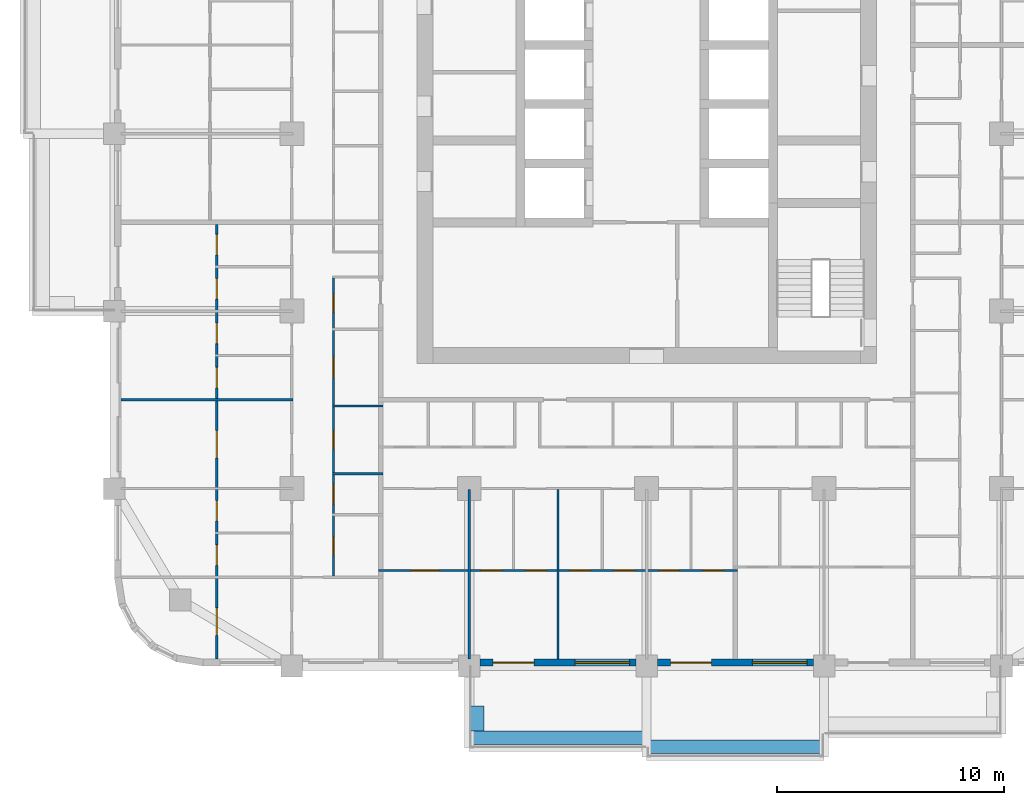
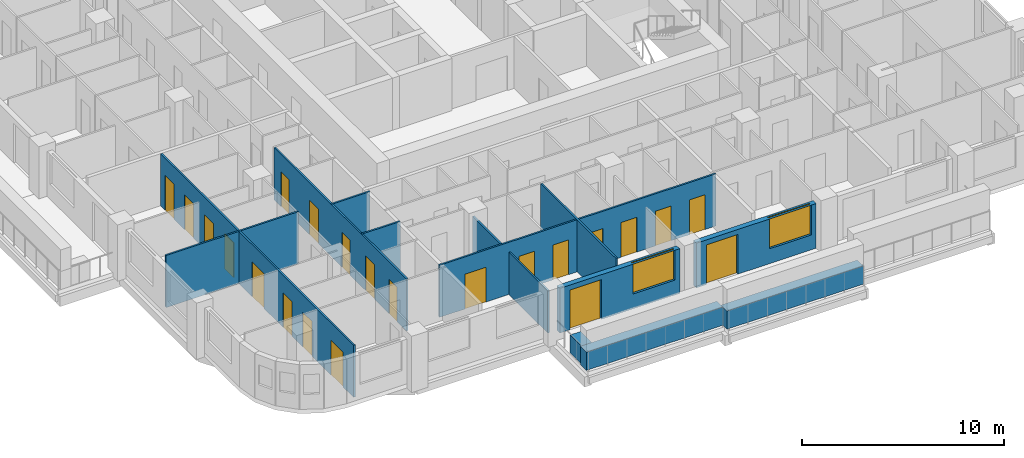
# One storey, part 3 of 17: 22 doors, 13 walls, 2 windows, 24 openings.
"""IFC4 building model written with IfcOpenShell, lengths in metres."""

from ifc_helpers import new_model, si_unit, direction, frame, frame_2d, origin, place, context, subcontext, project, spatial, rectangle, extrude, material, layer, layer_set, type_object, element, fill, save


model = new_model("IFC4")

# Units and contexts
model_context = context("Model", 3, precision=1e-05, world=origin(), true_north=direction((0.0, 1.0)))
body_context = subcontext(model_context, "Body", "Model", "MODEL_VIEW")
ifc_project = project(units=[si_unit("LENGTHUNIT", "METRE"), si_unit("AREAUNIT", "SQUARE_METRE"), si_unit("VOLUMEUNIT", "CUBIC_METRE"), si_unit("PLANEANGLEUNIT", "RADIAN"), si_unit("MASSUNIT", "GRAM", prefix="KILO")], contexts=[model_context])

# Site, building, storey
site_placement = place(None, origin())
site = spatial("IfcSite", under=ifc_project, at=site_placement, CompositionType="ELEMENT")
building_placement = place(site_placement, origin())
building = spatial("IfcBuilding", under=site, at=building_placement, Name="Ludao Terraces", CompositionType="ELEMENT")
storey_placement = place(building_placement, frame((0.0, 0.0, 88.60009765625)))
storey = spatial("IfcBuildingStorey", under=building, at=storey_placement, Name="L24", CompositionType="ELEMENT", Elevation=88.60009765625)

# Walls
ifc_material_1 = material(Name="Concrete C40", Category="concrete")
ifc_layer_1 = layer(ifc_material_1, 0.60009765625)
ifc_layer_set_1 = layer_set([ifc_layer_1], Name="ENV Planter trough 600")
wall_type_1 = type_object("IfcWallType", Name="ENV Planter trough 600", PredefinedType="USERDEFINED", material=ifc_layer_set_1)
wall_1_placement = place(storey_placement, frame((77.199951171875, 38.449951171875, 0.0), z_axis=(0.0, 0.0, 1.0), x_axis=(1.0, 0.0, 0.0)))
element("IfcWall", 1, at=wall_1_placement, inside=storey, type_object=wall_type_1, Name="PL-L24-S2", ObjectType="PLANTER", PredefinedType="USERDEFINED", context=body_context, shape_type="SweptSolid", body=[
    extrude(rectangle(XDim=7.800048828125, YDim=0.60009765625, at=frame_2d((3.89990234375, 0.0))), origin(), (0.0, 0.0, 1.0), 1.099853515625),
])
wall_2_placement = place(storey_placement, frame((77.550048828125, 38.75, 0.0), z_axis=(0.0, 0.0, 1.0), x_axis=(0.0, 1.0, 0.0)))
element("IfcWall", 2, at=wall_2_placement, inside=storey, type_object=wall_type_1, Name="PL-L24-S2-SA", ObjectType="PLANTER", PredefinedType="USERDEFINED", context=body_context, shape_type="SweptSolid", body=[
    extrude(rectangle(XDim=1.10009765625, YDim=0.60009765625, at=frame_2d((0.550048828125, 0.0))), origin(), (0.0, 0.0, 1.0), 1.099853515625),
])
wall_3_placement = place(storey_placement, frame((85.0, 38.050048828125, 0.0), z_axis=(0.0, 0.0, 1.0), x_axis=(1.0, 0.0, 0.0)))
element("IfcWall", 3, at=wall_3_placement, inside=storey, type_object=wall_type_1, Name="PL-L24-S3", ObjectType="PLANTER", PredefinedType="USERDEFINED", context=body_context, shape_type="SweptSolid", body=[
    extrude(rectangle(XDim=7.800048828125, YDim=0.60009765625, at=frame_2d((3.89990234375, 0.0))), origin(), (0.0, 0.0, 1.0), 1.099853515625),
])

# Wall, openings, door, window
ifc_material_2 = material(Name="Granite cladding", Category="masonry")
ifc_layer_2 = layer(ifc_material_2, 0.0400390625, Category="stone")
ifc_material_3 = material(Name="Mineral wool")
ifc_layer_3 = layer(ifc_material_3, 0.06005859375)
ifc_layer_4 = layer(ifc_material_1, 0.199951171875, Category="concrete")
ifc_layer_set_2 = layer_set([ifc_layer_2, ifc_layer_3, ifc_layer_4], Name="ENV Stone-clad wall 300")
wall_type_2 = type_object("IfcWallType", Name="ENV Stone-clad wall 300", PredefinedType="SOLIDWALL", material=ifc_layer_set_2)
wall_4_placement = place(storey_placement, frame((77.675048828125, 41.75, 0.0), z_axis=(0.0, 0.0, 1.0), x_axis=(1.0, 0.0, 0.0)))
wall_4 = element("IfcWall", 4, at=wall_4_placement, inside=storey, type_object=wall_type_2, Name="EW-L24-S3", PredefinedType="SOLIDWALL", context=body_context, shape_type="SweptSolid", body=[
    extrude(rectangle(XDim=6.849853515625, YDim=0.300048828125, at=frame_2d((3.4248046875, 0.0))), origin(), (0.0, 0.0, 1.0), 2.699951171875),
])
opening_1_placement = place(wall_4_placement, frame((0.574951171875, 0.0, 0.0)))
opening_1 = element("IfcOpeningElement", 5, at=opening_1_placement, cuts=wall_4, Name="Opening BD", PredefinedType="OPENING", context=body_context, shape_type="SweptSolid", body=[
    extrude(rectangle(XDim=1.800048828125, YDim=2.39990234375, at=frame_2d((0.89990234375, 1.199951171875))), frame((0.0, 0.16015625, 0.0), z_axis=(0.0, -1.0, 0.0), x_axis=(1.0, 0.0, 0.0)), (0.0, 0.0, 1.0), 0.320068359375),
])
opening_2_placement = place(wall_4_placement, frame((4.175048828125, 0.0, 0.89990234375)))
opening_2 = element("IfcOpeningElement", 6, at=opening_2_placement, cuts=wall_4, Name="Opening W1", PredefinedType="OPENING", context=body_context, shape_type="SweptSolid", body=[
    extrude(rectangle(XDim=2.39990234375, YDim=1.800048828125, at=frame_2d((1.199951171875, 0.89990234375))), frame((0.0, 0.16015625, 0.0), z_axis=(0.0, -1.0, 0.0), x_axis=(1.0, 0.0, 0.0)), (0.0, 0.0, 1.0), 0.320068359375),
])
ifc_material_4 = material(Name="Aluminium glazed door", Category="aluminium")
ifc_layer_5 = layer(ifc_material_4, 0.06005859375)
ifc_layer_set_3 = layer_set([ifc_layer_5], Name="ENV Balcony door BD 1800x2400")
door_type_1 = type_object("IfcDoorType", Name="ENV Balcony door BD 1800x2400", OperationType="DOUBLE_DOOR_SINGLE_SWING", PredefinedType="DOOR", material=ifc_layer_set_3)
door_1_placement = place(opening_1_placement, origin())
door_1 = element("IfcDoor", 7, at=door_1_placement, inside=storey, type_object=door_type_1, Name="BD-L24-S3-1", OperationType="DOUBLE_DOOR_SINGLE_SWING", OverallHeight=2.39990234375, OverallWidth=1.800048828125, PredefinedType="DOOR", context=body_context, shape_type="SweptSolid", body=[
    extrude(rectangle(XDim=1.800048828125, YDim=2.39990234375, at=frame_2d((0.89990234375, 1.199951171875))), frame((0.0, 0.02490234375, 0.0), z_axis=(0.0, -1.0, 0.0), x_axis=(1.0, 0.0, 0.0)), (0.0, 0.0, 1.0), 0.050048828125),
])
fill(opening_1, door_1)
ifc_material_5 = material(Name="Clear glass in aluminium frame", Category="aluminium")
ifc_layer_6 = layer(ifc_material_5, 0.06005859375)
ifc_layer_set_4 = layer_set([ifc_layer_6], Name="ENV Window W1 2400x1800")
window_type = type_object("IfcWindowType", Name="ENV Window W1 2400x1800", PartitioningType="DOUBLE_PANEL_VERTICAL", PredefinedType="WINDOW", material=ifc_layer_set_4)
window_1_placement = place(opening_2_placement, origin())
window_1 = element("IfcWindow", 8, at=window_1_placement, inside=storey, type_object=window_type, Name="W-L24-S3-2", OverallHeight=1.800048828125, OverallWidth=2.39990234375, PartitioningType="DOUBLE_PANEL_VERTICAL", PredefinedType="WINDOW", context=body_context, shape_type="SweptSolid", body=[
    extrude(rectangle(XDim=2.39990234375, YDim=1.800048828125, at=frame_2d((1.199951171875, 0.89990234375))), frame((0.0, 0.030029296875, 0.0), z_axis=(0.0, -1.0, 0.0), x_axis=(1.0, 0.0, 0.0)), (0.0, 0.0, 1.0), 0.06005859375),
])
fill(opening_2, window_1)

wall_5_placement = place(storey_placement, frame((85.47509765625, 41.75, 0.0), z_axis=(0.0, 0.0, 1.0), x_axis=(1.0, 0.0, 0.0)))
wall_5 = element("IfcWall", 9, at=wall_5_placement, inside=storey, type_object=wall_type_2, Name="EW-L24-S4", PredefinedType="SOLIDWALL", context=body_context, shape_type="SweptSolid", body=[
    extrude(rectangle(XDim=6.849853515625, YDim=0.300048828125, at=frame_2d((3.4248046875, 0.0))), origin(), (0.0, 0.0, 1.0), 2.699951171875),
])
opening_3_placement = place(wall_5_placement, frame((0.574951171875, 0.0, 0.0)))
opening_3 = element("IfcOpeningElement", 10, at=opening_3_placement, cuts=wall_5, Name="Opening BD", PredefinedType="OPENING", context=body_context, shape_type="SweptSolid", body=[
    extrude(rectangle(XDim=1.800048828125, YDim=2.39990234375, at=frame_2d((0.89990234375, 1.199951171875))), frame((0.0, 0.16015625, 0.0), z_axis=(0.0, -1.0, 0.0), x_axis=(1.0, 0.0, 0.0)), (0.0, 0.0, 1.0), 0.320068359375),
])
opening_4_placement = place(wall_5_placement, frame((4.175048828125, 0.0, 0.89990234375)))
opening_4 = element("IfcOpeningElement", 11, at=opening_4_placement, cuts=wall_5, Name="Opening W1", PredefinedType="OPENING", context=body_context, shape_type="SweptSolid", body=[
    extrude(rectangle(XDim=2.39990234375, YDim=1.800048828125, at=frame_2d((1.199951171875, 0.89990234375))), frame((0.0, 0.16015625, 0.0), z_axis=(0.0, -1.0, 0.0), x_axis=(1.0, 0.0, 0.0)), (0.0, 0.0, 1.0), 0.320068359375),
])
door_2_placement = place(opening_3_placement, origin())
door_2 = element("IfcDoor", 12, at=door_2_placement, inside=storey, type_object=door_type_1, Name="BD-L24-S4-1", OperationType="DOUBLE_DOOR_SINGLE_SWING", OverallHeight=2.39990234375, OverallWidth=1.800048828125, PredefinedType="DOOR", context=body_context, shape_type="SweptSolid", body=[
    extrude(rectangle(XDim=1.800048828125, YDim=2.39990234375, at=frame_2d((0.89990234375, 1.199951171875))), frame((0.0, 0.02490234375, 0.0), z_axis=(0.0, -1.0, 0.0), x_axis=(1.0, 0.0, 0.0)), (0.0, 0.0, 1.0), 0.050048828125),
])
fill(opening_3, door_2)
window_2_placement = place(opening_4_placement, origin())
window_2 = element("IfcWindow", 13, at=window_2_placement, inside=storey, type_object=window_type, Name="W-L24-S4-2", OverallHeight=1.800048828125, OverallWidth=2.39990234375, PartitioningType="DOUBLE_PANEL_VERTICAL", PredefinedType="WINDOW", context=body_context, shape_type="SweptSolid", body=[
    extrude(rectangle(XDim=2.39990234375, YDim=1.800048828125, at=frame_2d((1.199951171875, 0.89990234375))), frame((0.0, 0.030029296875, 0.0), z_axis=(0.0, -1.0, 0.0), x_axis=(1.0, 0.0, 0.0)), (0.0, 0.0, 1.0), 0.06005859375),
])
fill(opening_4, window_2)

# Wall, openings, doors
ifc_material_6 = material(Name="Gypsum plasterboard", Category="gypsum")
ifc_layer_7 = layer(ifc_material_6, 0.012451171875, Category="gypsum")
ifc_layer_8 = layer(ifc_material_3, 0.06005859375, Name="insulation")
ifc_material_7 = material(Name="Steel Q235", Category="steel")
ifc_layer_9 = layer(ifc_material_7, 0.014892578125, Name="stud")
ifc_layer_10 = layer(ifc_material_6, 0.012451171875, Category="gypsum")
ifc_layer_set_5 = layer_set([ifc_layer_7, ifc_layer_8, ifc_layer_9, ifc_layer_10], Name="INT Partition 100")
wall_type_3 = type_object("IfcWallType", Name="INT Partition 100", PredefinedType="PARTITIONING", material=ifc_layer_set_5)
wall_6_placement = place(storey_placement, frame((73.2001953125, 45.800048828125, 0.0), z_axis=(0.0, 0.0, 1.0), x_axis=(1.0, 0.0, 0.0)))
wall_6 = element("IfcWall", 14, at=wall_6_placement, inside=storey, type_object=wall_type_3, Name="PW-L24-PW002", PredefinedType="PARTITIONING", context=body_context, shape_type="SweptSolid", body=[
    extrude(rectangle(XDim=15.7998046875, YDim=0.10009765625, at=frame_2d((7.89990234375, 0.0))), origin(), (0.0, 0.0, 1.0), 3.14990234375),
])
opening_5_placement = place(wall_6_placement, frame((1.449951171875, 0.0, 0.0)))
opening_5 = element("IfcOpeningElement", 15, at=opening_5_placement, cuts=wall_6, Name="Opening R07-007", PredefinedType="OPENING", context=body_context, shape_type="SweptSolid", body=[
    extrude(rectangle(XDim=1.199951171875, YDim=2.10009765625, at=frame_2d((0.60009765625, 1.050048828125))), frame((0.0, 0.06005859375, 0.0), z_axis=(0.0, -1.0, 0.0), x_axis=(1.0, 0.0, 0.0)), (0.0, 0.0, 1.0), 0.1201171875),
])
opening_6_placement = place(wall_6_placement, frame((4.52490234375, 0.0, 0.0)))
opening_6 = element("IfcOpeningElement", 16, at=opening_6_placement, cuts=wall_6, Name="Opening R07-008", PredefinedType="OPENING", context=body_context, shape_type="SweptSolid", body=[
    extrude(rectangle(XDim=0.89990234375, YDim=2.10009765625, at=frame_2d((0.449951171875, 1.050048828125))), frame((0.0, 0.06005859375, 0.0), z_axis=(0.0, -1.0, 0.0), x_axis=(1.0, 0.0, 0.0)), (0.0, 0.0, 1.0), 0.1201171875),
])
opening_7_placement = place(wall_6_placement, frame((6.474853515625, 0.0, 0.0)))
opening_7 = element("IfcOpeningElement", 17, at=opening_7_placement, cuts=wall_6, Name="Opening R07-009", PredefinedType="OPENING", context=body_context, shape_type="SweptSolid", body=[
    extrude(rectangle(XDim=0.89990234375, YDim=2.10009765625, at=frame_2d((0.449951171875, 1.050048828125))), frame((0.0, 0.06005859375, 0.0), z_axis=(0.0, -1.0, 0.0), x_axis=(1.0, 0.0, 0.0)), (0.0, 0.0, 1.0), 0.1201171875),
])
opening_8_placement = place(wall_6_placement, frame((8.4248046875, 0.0, 0.0)))
opening_8 = element("IfcOpeningElement", 18, at=opening_8_placement, cuts=wall_6, Name="Opening R07-010", PredefinedType="OPENING", context=body_context, shape_type="SweptSolid", body=[
    extrude(rectangle(XDim=0.89990234375, YDim=2.10009765625, at=frame_2d((0.449951171875, 1.050048828125))), frame((0.0, 0.06005859375, 0.0), z_axis=(0.0, -1.0, 0.0), x_axis=(1.0, 0.0, 0.0)), (0.0, 0.0, 1.0), 0.1201171875),
])
opening_9_placement = place(wall_6_placement, frame((10.375, 0.0, 0.0)))
opening_9 = element("IfcOpeningElement", 19, at=opening_9_placement, cuts=wall_6, Name="Opening R07-011", PredefinedType="OPENING", context=body_context, shape_type="SweptSolid", body=[
    extrude(rectangle(XDim=0.89990234375, YDim=2.10009765625, at=frame_2d((0.449951171875, 1.050048828125))), frame((0.0, 0.06005859375, 0.0), z_axis=(0.0, -1.0, 0.0), x_axis=(1.0, 0.0, 0.0)), (0.0, 0.0, 1.0), 0.1201171875),
])
opening_10_placement = place(wall_6_placement, frame((12.324951171875, 0.0, 0.0)))
opening_10 = element("IfcOpeningElement", 20, at=opening_10_placement, cuts=wall_6, Name="Opening R07-012", PredefinedType="OPENING", context=body_context, shape_type="SweptSolid", body=[
    extrude(rectangle(XDim=0.89990234375, YDim=2.10009765625, at=frame_2d((0.449951171875, 1.050048828125))), frame((0.0, 0.06005859375, 0.0), z_axis=(0.0, -1.0, 0.0), x_axis=(1.0, 0.0, 0.0)), (0.0, 0.0, 1.0), 0.1201171875),
])
opening_11_placement = place(wall_6_placement, frame((14.27490234375, 0.0, 0.0)))
opening_11 = element("IfcOpeningElement", 21, at=opening_11_placement, cuts=wall_6, Name="Opening R07-013", PredefinedType="OPENING", context=body_context, shape_type="SweptSolid", body=[
    extrude(rectangle(XDim=0.89990234375, YDim=2.10009765625, at=frame_2d((0.449951171875, 1.050048828125))), frame((0.0, 0.06005859375, 0.0), z_axis=(0.0, -1.0, 0.0), x_axis=(1.0, 0.0, 0.0)), (0.0, 0.0, 1.0), 0.1201171875),
])
ifc_material_8 = material(Name="Timber door leaf", Category="wood")
door_type_2 = type_object("IfcDoorType", Name="INT Bathroom door 900", OperationType="SINGLE_SWING_LEFT", PredefinedType="DOOR", material=ifc_material_8)
door_3_placement = place(opening_6_placement, origin())
door_3 = element("IfcDoor", 22, at=door_3_placement, inside=storey, type_object=door_type_2, Name="DOOR 008", OperationType="SINGLE_SWING_LEFT", OverallHeight=2.10009765625, OverallWidth=0.89990234375, PredefinedType="DOOR", context=body_context, shape_type="SweptSolid", body=[
    extrude(rectangle(XDim=0.89990234375, YDim=2.10009765625, at=frame_2d((0.449951171875, 1.050048828125))), frame((0.0, 0.02490234375, 0.0), z_axis=(0.0, -1.0, 0.0), x_axis=(1.0, 0.0, 0.0)), (0.0, 0.0, 1.0), 0.050048828125),
])
fill(opening_6, door_3)
door_4_placement = place(opening_8_placement, origin())
door_4 = element("IfcDoor", 23, at=door_4_placement, inside=storey, type_object=door_type_2, Name="DOOR 010", OperationType="SINGLE_SWING_LEFT", OverallHeight=2.10009765625, OverallWidth=0.89990234375, PredefinedType="DOOR", context=body_context, shape_type="SweptSolid", body=[
    extrude(rectangle(XDim=0.89990234375, YDim=2.10009765625, at=frame_2d((0.449951171875, 1.050048828125))), frame((0.0, 0.02490234375, 0.0), z_axis=(0.0, -1.0, 0.0), x_axis=(1.0, 0.0, 0.0)), (0.0, 0.0, 1.0), 0.050048828125),
])
fill(opening_8, door_4)
door_5_placement = place(opening_10_placement, origin())
door_5 = element("IfcDoor", 24, at=door_5_placement, inside=storey, type_object=door_type_2, Name="DOOR 012", OperationType="SINGLE_SWING_LEFT", OverallHeight=2.10009765625, OverallWidth=0.89990234375, PredefinedType="DOOR", context=body_context, shape_type="SweptSolid", body=[
    extrude(rectangle(XDim=0.89990234375, YDim=2.10009765625, at=frame_2d((0.449951171875, 1.050048828125))), frame((0.0, 0.02490234375, 0.0), z_axis=(0.0, -1.0, 0.0), x_axis=(1.0, 0.0, 0.0)), (0.0, 0.0, 1.0), 0.050048828125),
])
fill(opening_10, door_5)
door_type_3 = type_object("IfcDoorType", Name="INT Double door 1200", OperationType="DOUBLE_DOOR_SINGLE_SWING", PredefinedType="DOOR", material=ifc_material_8)
door_6_placement = place(opening_5_placement, origin())
door_6 = element("IfcDoor", 25, at=door_6_placement, inside=storey, type_object=door_type_3, Name="DOOR 007", OperationType="DOUBLE_DOOR_SINGLE_SWING", OverallHeight=2.10009765625, OverallWidth=1.199951171875, PredefinedType="DOOR", context=body_context, shape_type="SweptSolid", body=[
    extrude(rectangle(XDim=1.199951171875, YDim=2.10009765625, at=frame_2d((0.60009765625, 1.050048828125))), frame((0.0, 0.02490234375, 0.0), z_axis=(0.0, -1.0, 0.0), x_axis=(1.0, 0.0, 0.0)), (0.0, 0.0, 1.0), 0.050048828125),
])
fill(opening_5, door_6)
door_type_4 = type_object("IfcDoorType", Name="INT Room door 900", OperationType="SINGLE_SWING_LEFT", PredefinedType="DOOR", material=ifc_material_8)
door_7_placement = place(opening_7_placement, origin())
door_7 = element("IfcDoor", 26, at=door_7_placement, inside=storey, type_object=door_type_4, Name="DOOR 009", OperationType="SINGLE_SWING_LEFT", OverallHeight=2.10009765625, OverallWidth=0.89990234375, PredefinedType="DOOR", context=body_context, shape_type="SweptSolid", body=[
    extrude(rectangle(XDim=0.89990234375, YDim=2.10009765625, at=frame_2d((0.449951171875, 1.050048828125))), frame((0.0, 0.02490234375, 0.0), z_axis=(0.0, -1.0, 0.0), x_axis=(1.0, 0.0, 0.0)), (0.0, 0.0, 1.0), 0.050048828125),
])
fill(opening_7, door_7)
door_8_placement = place(opening_9_placement, origin())
door_8 = element("IfcDoor", 27, at=door_8_placement, inside=storey, type_object=door_type_4, Name="DOOR 011", OperationType="SINGLE_SWING_LEFT", OverallHeight=2.10009765625, OverallWidth=0.89990234375, PredefinedType="DOOR", context=body_context, shape_type="SweptSolid", body=[
    extrude(rectangle(XDim=0.89990234375, YDim=2.10009765625, at=frame_2d((0.449951171875, 1.050048828125))), frame((0.0, 0.02490234375, 0.0), z_axis=(0.0, -1.0, 0.0), x_axis=(1.0, 0.0, 0.0)), (0.0, 0.0, 1.0), 0.050048828125),
])
fill(opening_9, door_8)
door_9_placement = place(opening_11_placement, origin())
door_9 = element("IfcDoor", 28, at=door_9_placement, inside=storey, type_object=door_type_4, Name="DOOR 013", OperationType="SINGLE_SWING_RIGHT", OverallHeight=2.10009765625, OverallWidth=0.89990234375, PredefinedType="DOOR", context=body_context, shape_type="SweptSolid", body=[
    extrude(rectangle(XDim=0.89990234375, YDim=2.10009765625, at=frame_2d((0.449951171875, 1.050048828125))), frame((0.0, 0.02490234375, 0.0), z_axis=(0.0, -1.0, 0.0), x_axis=(1.0, 0.0, 0.0)), (0.0, 0.0, 1.0), 0.050048828125),
])
fill(opening_11, door_9)

# Walls
for number, where, z_axis, x_axis, name in (
    (29, (71.18017578125, 50.050048828125, 0.0), (0.0, 0.0, 1.0), (1.0, 0.0, 0.0), "PW-L24-PW010"),
    (30, (71.18017578125, 53.030029296875, 0.0), (0.0, 0.0, 1.0), (1.0, 0.0, 0.0), "PW-L24-PW015"),
):
    element("IfcWall", number, at=place(storey_placement, frame(where, z_axis=z_axis, x_axis=x_axis)), inside=storey, type_object=wall_type_3, Name=name, PredefinedType="PARTITIONING", context=body_context, shape_type="SweptSolid", body=[
        extrude(rectangle(XDim=2.219970703125, YDim=0.10009765625, at=frame_2d((1.10986328125, 0.0))), origin(), (0.0, 0.0, 1.0), 3.14990234375),
    ])
wall_7_placement = place(storey_placement, frame((61.900146484375, 53.300048828125, 0.0), z_axis=(0.0, 0.0, 1.0), x_axis=(1.0, 0.0, 0.0)))
element("IfcWall", 31, at=wall_7_placement, inside=storey, type_object=wall_type_3, Name="PW-L24-PW016", PredefinedType="PARTITIONING", context=body_context, shape_type="SweptSolid", body=[
    extrude(rectangle(XDim=7.550048828125, YDim=0.10009765625, at=frame_2d((3.77490234375, 0.0))), origin(), (0.0, 0.0, 1.0), 3.14990234375),
])

# Wall, openings, doors
wall_8_placement = place(storey_placement, frame((66.10009765625, 41.900146484375, 0.0), z_axis=(0.0, 0.0, 1.0), x_axis=(0.0, 1.0, 0.0)))
wall_8 = element("IfcWall", 32, at=wall_8_placement, inside=storey, type_object=wall_type_3, Name="PW-L24-PW080", PredefinedType="PARTITIONING", context=body_context, shape_type="SweptSolid", body=[
    extrude(rectangle(XDim=19.099853515625, YDim=0.10009765625, at=frame_2d((9.5498046875, 0.0))), origin(), (0.0, 0.0, 1.0), 3.14990234375),
])
opening_12_placement = place(wall_8_placement, frame((1.050048828125, 0.0, 0.0)))
opening_12 = element("IfcOpeningElement", 33, at=opening_12_placement, cuts=wall_8, Name="Opening R07-001", PredefinedType="OPENING", context=body_context, shape_type="SweptSolid", body=[
    extrude(rectangle(XDim=1.199951171875, YDim=2.10009765625, at=frame_2d((0.60009765625, 1.050048828125))), frame((0.0, 0.06005859375, 0.0), z_axis=(0.0, -1.0, 0.0), x_axis=(1.0, 0.0, 0.0)), (0.0, 0.0, 1.0), 0.1201171875),
])
opening_13_placement = place(wall_8_placement, frame((4.125, 0.0, 0.0)))
opening_13 = element("IfcOpeningElement", 34, at=opening_13_placement, cuts=wall_8, Name="Opening R07-018", PredefinedType="OPENING", context=body_context, shape_type="SweptSolid", body=[
    extrude(rectangle(XDim=0.89990234375, YDim=2.10009765625, at=frame_2d((0.449951171875, 1.050048828125))), frame((0.0, 0.06005859375, 0.0), z_axis=(0.0, -1.0, 0.0), x_axis=(1.0, 0.0, 0.0)), (0.0, 0.0, 1.0), 0.1201171875),
])
opening_14_placement = place(wall_8_placement, frame((6.074951171875, 0.0, 0.0)))
opening_14 = element("IfcOpeningElement", 35, at=opening_14_placement, cuts=wall_8, Name="Opening R07-023", PredefinedType="OPENING", context=body_context, shape_type="SweptSolid", body=[
    extrude(rectangle(XDim=0.89990234375, YDim=2.10009765625, at=frame_2d((0.449951171875, 1.050048828125))), frame((0.0, 0.06005859375, 0.0), z_axis=(0.0, -1.0, 0.0), x_axis=(1.0, 0.0, 0.0)), (0.0, 0.0, 1.0), 0.1201171875),
])
opening_15_placement = place(wall_8_placement, frame((8.85009765625, 0.0, 0.0)))
opening_15 = element("IfcOpeningElement", 36, at=opening_15_placement, cuts=wall_8, Name="Opening R07-041", PredefinedType="OPENING", context=body_context, shape_type="SweptSolid", body=[
    extrude(rectangle(XDim=1.199951171875, YDim=2.10009765625, at=frame_2d((0.60009765625, 1.050048828125))), frame((0.0, 0.06005859375, 0.0), z_axis=(0.0, -1.0, 0.0), x_axis=(1.0, 0.0, 0.0)), (0.0, 0.0, 1.0), 0.1201171875),
])
opening_16_placement = place(wall_8_placement, frame((11.925048828125, 0.0, 0.0)))
opening_16 = element("IfcOpeningElement", 37, at=opening_16_placement, cuts=wall_8, Name="Opening R07-049", PredefinedType="OPENING", context=body_context, shape_type="SweptSolid", body=[
    extrude(rectangle(XDim=0.89990234375, YDim=2.10009765625, at=frame_2d((0.449951171875, 1.050048828125))), frame((0.0, 0.06005859375, 0.0), z_axis=(0.0, -1.0, 0.0), x_axis=(1.0, 0.0, 0.0)), (0.0, 0.0, 1.0), 0.1201171875),
])
opening_17_placement = place(wall_8_placement, frame((13.875, 0.0, 0.0)))
opening_17 = element("IfcOpeningElement", 38, at=opening_17_placement, cuts=wall_8, Name="Opening R07-056", PredefinedType="OPENING", context=body_context, shape_type="SweptSolid", body=[
    extrude(rectangle(XDim=0.89990234375, YDim=2.10009765625, at=frame_2d((0.449951171875, 1.050048828125))), frame((0.0, 0.06005859375, 0.0), z_axis=(0.0, -1.0, 0.0), x_axis=(1.0, 0.0, 0.0)), (0.0, 0.0, 1.0), 0.1201171875),
])
opening_18_placement = place(wall_8_placement, frame((15.824951171875, 0.0, 0.0)))
opening_18 = element("IfcOpeningElement", 39, at=opening_18_placement, cuts=wall_8, Name="Opening R07-064", PredefinedType="OPENING", context=body_context, shape_type="SweptSolid", body=[
    extrude(rectangle(XDim=0.89990234375, YDim=2.10009765625, at=frame_2d((0.449951171875, 1.050048828125))), frame((0.0, 0.06005859375, 0.0), z_axis=(0.0, -1.0, 0.0), x_axis=(1.0, 0.0, 0.0)), (0.0, 0.0, 1.0), 0.1201171875),
])
opening_19_placement = place(wall_8_placement, frame((17.77490234375, 0.0, 0.0)))
opening_19 = element("IfcOpeningElement", 40, at=opening_19_placement, cuts=wall_8, Name="Opening R07-066", PredefinedType="OPENING", context=body_context, shape_type="SweptSolid", body=[
    extrude(rectangle(XDim=0.89990234375, YDim=2.10009765625, at=frame_2d((0.449951171875, 1.050048828125))), frame((0.0, 0.06005859375, 0.0), z_axis=(0.0, -1.0, 0.0), x_axis=(1.0, 0.0, 0.0)), (0.0, 0.0, 1.0), 0.1201171875),
])
door_10_placement = place(opening_13_placement, origin())
door_10 = element("IfcDoor", 41, at=door_10_placement, inside=storey, type_object=door_type_2, Name="DOOR 018", OperationType="SINGLE_SWING_RIGHT", OverallHeight=2.10009765625, OverallWidth=0.89990234375, PredefinedType="DOOR", context=body_context, shape_type="SweptSolid", body=[
    extrude(rectangle(XDim=0.89990234375, YDim=2.10009765625, at=frame_2d((0.449951171875, 1.050048828125))), frame((0.0, 0.02490234375, 0.0), z_axis=(0.0, -1.0, 0.0), x_axis=(1.0, 0.0, 0.0)), (0.0, 0.0, 1.0), 0.050048828125),
])
fill(opening_13, door_10)
door_11_placement = place(opening_16_placement, origin())
door_11 = element("IfcDoor", 42, at=door_11_placement, inside=storey, type_object=door_type_2, Name="DOOR 049", OperationType="SINGLE_SWING_RIGHT", OverallHeight=2.10009765625, OverallWidth=0.89990234375, PredefinedType="DOOR", context=body_context, shape_type="SweptSolid", body=[
    extrude(rectangle(XDim=0.89990234375, YDim=2.10009765625, at=frame_2d((0.449951171875, 1.050048828125))), frame((0.0, 0.02490234375, 0.0), z_axis=(0.0, -1.0, 0.0), x_axis=(1.0, 0.0, 0.0)), (0.0, 0.0, 1.0), 0.050048828125),
])
fill(opening_16, door_11)
door_12_placement = place(opening_18_placement, origin())
door_12 = element("IfcDoor", 43, at=door_12_placement, inside=storey, type_object=door_type_2, Name="DOOR 064", OperationType="SINGLE_SWING_RIGHT", OverallHeight=2.10009765625, OverallWidth=0.89990234375, PredefinedType="DOOR", context=body_context, shape_type="SweptSolid", body=[
    extrude(rectangle(XDim=0.89990234375, YDim=2.10009765625, at=frame_2d((0.449951171875, 1.050048828125))), frame((0.0, 0.02490234375, 0.0), z_axis=(0.0, -1.0, 0.0), x_axis=(1.0, 0.0, 0.0)), (0.0, 0.0, 1.0), 0.050048828125),
])
fill(opening_18, door_12)
door_13_placement = place(opening_12_placement, origin())
door_13 = element("IfcDoor", 44, at=door_13_placement, inside=storey, type_object=door_type_3, Name="DOOR 001", OperationType="DOUBLE_DOOR_SINGLE_SWING", OverallHeight=2.10009765625, OverallWidth=1.199951171875, PredefinedType="DOOR", context=body_context, shape_type="SweptSolid", body=[
    extrude(rectangle(XDim=1.199951171875, YDim=2.10009765625, at=frame_2d((0.60009765625, 1.050048828125))), frame((0.0, 0.02490234375, 0.0), z_axis=(0.0, -1.0, 0.0), x_axis=(1.0, 0.0, 0.0)), (0.0, 0.0, 1.0), 0.050048828125),
])
fill(opening_12, door_13)
door_14_placement = place(opening_15_placement, origin())
door_14 = element("IfcDoor", 45, at=door_14_placement, inside=storey, type_object=door_type_3, Name="DOOR 041", OperationType="DOUBLE_DOOR_SINGLE_SWING", OverallHeight=2.10009765625, OverallWidth=1.199951171875, PredefinedType="DOOR", context=body_context, shape_type="SweptSolid", body=[
    extrude(rectangle(XDim=1.199951171875, YDim=2.10009765625, at=frame_2d((0.60009765625, 1.050048828125))), frame((0.0, 0.02490234375, 0.0), z_axis=(0.0, -1.0, 0.0), x_axis=(1.0, 0.0, 0.0)), (0.0, 0.0, 1.0), 0.050048828125),
])
fill(opening_15, door_14)
door_15_placement = place(opening_14_placement, origin())
door_15 = element("IfcDoor", 46, at=door_15_placement, inside=storey, type_object=door_type_4, Name="DOOR 023", OperationType="SINGLE_SWING_LEFT", OverallHeight=2.10009765625, OverallWidth=0.89990234375, PredefinedType="DOOR", context=body_context, shape_type="SweptSolid", body=[
    extrude(rectangle(XDim=0.89990234375, YDim=2.10009765625, at=frame_2d((0.449951171875, 1.050048828125))), frame((0.0, 0.02490234375, 0.0), z_axis=(0.0, -1.0, 0.0), x_axis=(1.0, 0.0, 0.0)), (0.0, 0.0, 1.0), 0.050048828125),
])
fill(opening_14, door_15)
door_16_placement = place(opening_17_placement, origin())
door_16 = element("IfcDoor", 47, at=door_16_placement, inside=storey, type_object=door_type_4, Name="DOOR 056", OperationType="SINGLE_SWING_LEFT", OverallHeight=2.10009765625, OverallWidth=0.89990234375, PredefinedType="DOOR", context=body_context, shape_type="SweptSolid", body=[
    extrude(rectangle(XDim=0.89990234375, YDim=2.10009765625, at=frame_2d((0.449951171875, 1.050048828125))), frame((0.0, 0.02490234375, 0.0), z_axis=(0.0, -1.0, 0.0), x_axis=(1.0, 0.0, 0.0)), (0.0, 0.0, 1.0), 0.050048828125),
])
fill(opening_17, door_16)
door_17_placement = place(opening_19_placement, origin())
door_17 = element("IfcDoor", 48, at=door_17_placement, inside=storey, type_object=door_type_4, Name="DOOR 066", OperationType="SINGLE_SWING_RIGHT", OverallHeight=2.10009765625, OverallWidth=0.89990234375, PredefinedType="DOOR", context=body_context, shape_type="SweptSolid", body=[
    extrude(rectangle(XDim=0.89990234375, YDim=2.10009765625, at=frame_2d((0.449951171875, 1.050048828125))), frame((0.0, 0.02490234375, 0.0), z_axis=(0.0, -1.0, 0.0), x_axis=(1.0, 0.0, 0.0)), (0.0, 0.0, 1.0), 0.050048828125),
])
fill(opening_19, door_17)

wall_9_placement = place(storey_placement, frame((71.22998046875, 45.550048828125, 0.0), z_axis=(0.0, 0.0, 1.0), x_axis=(0.0, 1.0, 0.0)))
wall_9 = element("IfcWall", 49, at=wall_9_placement, inside=storey, type_object=wall_type_3, Name="PW-L24-PW083", PredefinedType="PARTITIONING", context=body_context, shape_type="SweptSolid", body=[
    extrude(rectangle(XDim=13.10009765625, YDim=0.10009765625, at=frame_2d((6.550048828125, 0.0))), origin(), (0.0, 0.0, 1.0), 3.14990234375),
])
opening_20_placement = place(wall_9_placement, frame((0.925048828125, 0.0, 0.0)))
opening_20 = element("IfcOpeningElement", 50, at=opening_20_placement, cuts=wall_9, Name="Opening R07-019", PredefinedType="OPENING", context=body_context, shape_type="SweptSolid", body=[
    extrude(rectangle(XDim=0.800048828125, YDim=2.10009765625, at=frame_2d((0.39990234375, 1.050048828125))), frame((0.0, 0.06005859375, 0.0), z_axis=(0.0, -1.0, 0.0), x_axis=(1.0, 0.0, 0.0)), (0.0, 0.0, 1.0), 0.1201171875),
])
opening_21_placement = place(wall_9_placement, frame((3.14990234375, 0.0, 0.0)))
opening_21 = element("IfcOpeningElement", 51, at=opening_21_placement, cuts=wall_9, Name="Opening R07-025", PredefinedType="OPENING", context=body_context, shape_type="SweptSolid", body=[
    extrude(rectangle(XDim=0.89990234375, YDim=2.10009765625, at=frame_2d((0.449951171875, 1.050048828125))), frame((0.0, 0.06005859375, 0.0), z_axis=(0.0, -1.0, 0.0), x_axis=(1.0, 0.0, 0.0)), (0.0, 0.0, 1.0), 0.1201171875),
])
opening_22_placement = place(wall_9_placement, frame((5.590087890625, 0.0, 0.0)))
opening_22 = element("IfcOpeningElement", 52, at=opening_22_placement, cuts=wall_9, Name="Opening R07-045", PredefinedType="OPENING", context=body_context, shape_type="SweptSolid", body=[
    extrude(rectangle(XDim=0.800048828125, YDim=2.10009765625, at=frame_2d((0.39990234375, 1.050048828125))), frame((0.0, 0.06005859375, 0.0), z_axis=(0.0, -1.0, 0.0), x_axis=(1.0, 0.0, 0.0)), (0.0, 0.0, 1.0), 0.1201171875),
])
opening_23_placement = place(wall_9_placement, frame((8.715087890625, 0.0, 0.0)))
opening_23 = element("IfcOpeningElement", 53, at=opening_23_placement, cuts=wall_9, Name="Opening R07-051", PredefinedType="OPENING", context=body_context, shape_type="SweptSolid", body=[
    extrude(rectangle(XDim=0.89990234375, YDim=2.10009765625, at=frame_2d((0.449951171875, 1.050048828125))), frame((0.0, 0.06005859375, 0.0), z_axis=(0.0, -1.0, 0.0), x_axis=(1.0, 0.0, 0.0)), (0.0, 0.0, 1.0), 0.1201171875),
])
opening_24_placement = place(wall_9_placement, frame((11.60009765625, 0.0, 0.0)))
opening_24 = element("IfcOpeningElement", 54, at=opening_24_placement, cuts=wall_9, Name="Opening R07-060", PredefinedType="OPENING", context=body_context, shape_type="SweptSolid", body=[
    extrude(rectangle(XDim=0.800048828125, YDim=2.10009765625, at=frame_2d((0.39990234375, 1.050048828125))), frame((0.0, 0.06005859375, 0.0), z_axis=(0.0, -1.0, 0.0), x_axis=(1.0, 0.0, 0.0)), (0.0, 0.0, 1.0), 0.1201171875),
])
door_18_placement = place(opening_21_placement, origin())
door_18 = element("IfcDoor", 55, at=door_18_placement, inside=storey, type_object=door_type_2, Name="DOOR 025", OperationType="SINGLE_SWING_RIGHT", OverallHeight=2.10009765625, OverallWidth=0.89990234375, PredefinedType="DOOR", context=body_context, shape_type="SweptSolid", body=[
    extrude(rectangle(XDim=0.89990234375, YDim=2.10009765625, at=frame_2d((0.449951171875, 1.050048828125))), frame((0.0, 0.02490234375, 0.0), z_axis=(0.0, -1.0, 0.0), x_axis=(1.0, 0.0, 0.0)), (0.0, 0.0, 1.0), 0.050048828125),
])
fill(opening_21, door_18)
door_19_placement = place(opening_23_placement, origin())
door_19 = element("IfcDoor", 56, at=door_19_placement, inside=storey, type_object=door_type_4, Name="DOOR 051", OperationType="SINGLE_SWING_LEFT", OverallHeight=2.10009765625, OverallWidth=0.89990234375, PredefinedType="DOOR", context=body_context, shape_type="SweptSolid", body=[
    extrude(rectangle(XDim=0.89990234375, YDim=2.10009765625, at=frame_2d((0.449951171875, 1.050048828125))), frame((0.0, 0.02490234375, 0.0), z_axis=(0.0, -1.0, 0.0), x_axis=(1.0, 0.0, 0.0)), (0.0, 0.0, 1.0), 0.050048828125),
])
fill(opening_23, door_19)
door_type_5 = type_object("IfcDoorType", Name="INT Store door 800", OperationType="SINGLE_SWING_LEFT", PredefinedType="DOOR", material=ifc_material_8)
door_20_placement = place(opening_20_placement, origin())
door_20 = element("IfcDoor", 57, at=door_20_placement, inside=storey, type_object=door_type_5, Name="DOOR 019", OperationType="SINGLE_SWING_RIGHT", OverallHeight=2.10009765625, OverallWidth=0.800048828125, PredefinedType="DOOR", context=body_context, shape_type="SweptSolid", body=[
    extrude(rectangle(XDim=0.800048828125, YDim=2.10009765625, at=frame_2d((0.39990234375, 1.050048828125))), frame((0.0, 0.02490234375, 0.0), z_axis=(0.0, -1.0, 0.0), x_axis=(1.0, 0.0, 0.0)), (0.0, 0.0, 1.0), 0.050048828125),
])
fill(opening_20, door_20)
door_21_placement = place(opening_22_placement, origin())
door_21 = element("IfcDoor", 58, at=door_21_placement, inside=storey, type_object=door_type_5, Name="DOOR 045", OperationType="SINGLE_SWING_LEFT", OverallHeight=2.10009765625, OverallWidth=0.800048828125, PredefinedType="DOOR", context=body_context, shape_type="SweptSolid", body=[
    extrude(rectangle(XDim=0.800048828125, YDim=2.10009765625, at=frame_2d((0.39990234375, 1.050048828125))), frame((0.0, 0.02490234375, 0.0), z_axis=(0.0, -1.0, 0.0), x_axis=(1.0, 0.0, 0.0)), (0.0, 0.0, 1.0), 0.050048828125),
])
fill(opening_22, door_21)
door_22_placement = place(opening_24_placement, origin())
door_22 = element("IfcDoor", 59, at=door_22_placement, inside=storey, type_object=door_type_5, Name="DOOR 060", OperationType="SINGLE_SWING_RIGHT", OverallHeight=2.10009765625, OverallWidth=0.800048828125, PredefinedType="DOOR", context=body_context, shape_type="SweptSolid", body=[
    extrude(rectangle(XDim=0.800048828125, YDim=2.10009765625, at=frame_2d((0.39990234375, 1.050048828125))), frame((0.0, 0.02490234375, 0.0), z_axis=(0.0, -1.0, 0.0), x_axis=(1.0, 0.0, 0.0)), (0.0, 0.0, 1.0), 0.050048828125),
])
fill(opening_24, door_22)

# Walls
wall_10_placement = place(storey_placement, frame((77.199951171875, 41.900146484375, 0.0), z_axis=(0.0, 0.0, 1.0), x_axis=(0.0, 1.0, 0.0)))
element("IfcWall", 60, at=wall_10_placement, inside=storey, type_object=wall_type_3, Name="PW-L24-PW091", PredefinedType="PARTITIONING", context=body_context, shape_type="SweptSolid", body=[
    extrude(rectangle(XDim=7.449951171875, YDim=0.10009765625, at=frame_2d((3.72509765625, 0.0))), origin(), (0.0, 0.0, 1.0), 2.5498046875),
])
wall_11_placement = place(storey_placement, frame((81.10009765625, 41.900146484375, 0.0), z_axis=(0.0, 0.0, 1.0), x_axis=(0.0, 1.0, 0.0)))
element("IfcWall", 61, at=wall_11_placement, inside=storey, type_object=wall_type_3, Name="PW-L24-PW097", PredefinedType="PARTITIONING", context=body_context, shape_type="SweptSolid", body=[
    extrude(rectangle(XDim=7.449951171875, YDim=0.10009765625, at=frame_2d((3.72509765625, 0.0))), origin(), (0.0, 0.0, 1.0), 3.14990234375),
])

save(model, "model.ifc")
